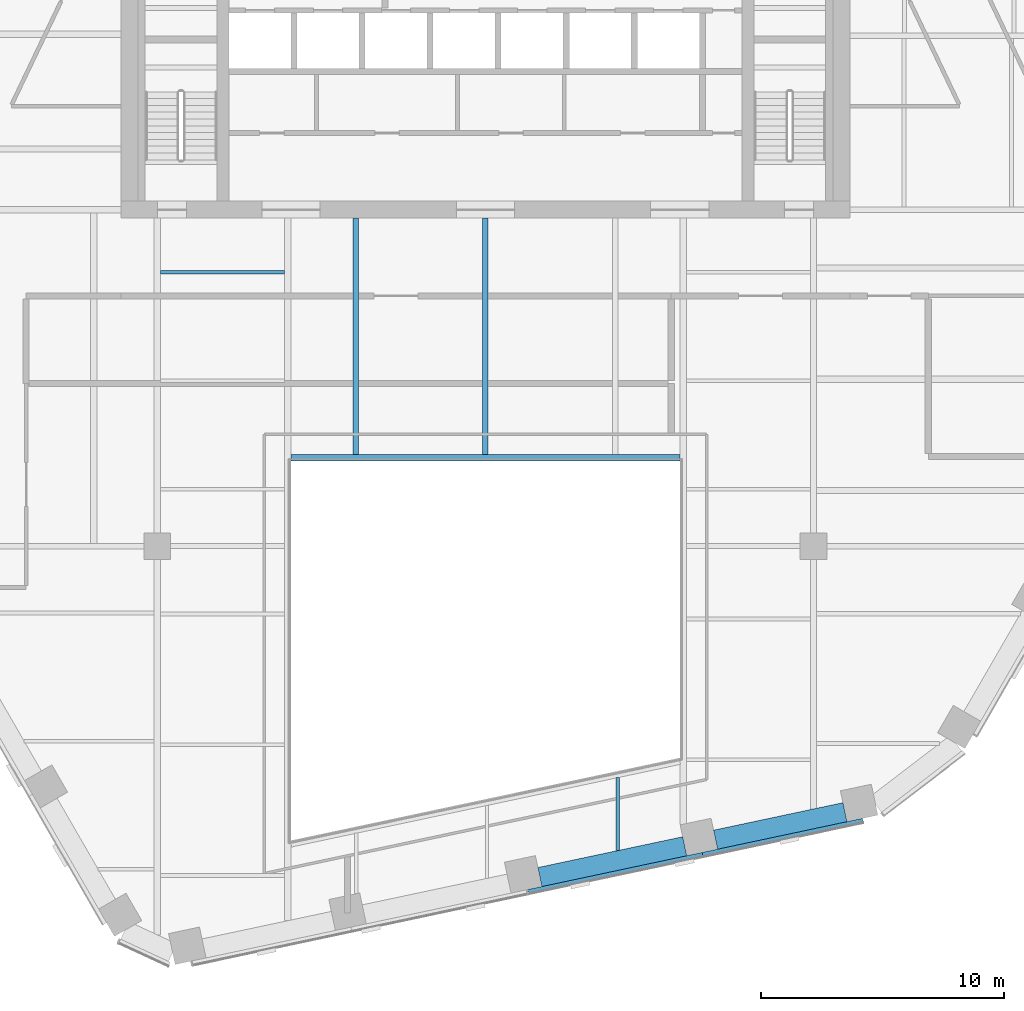
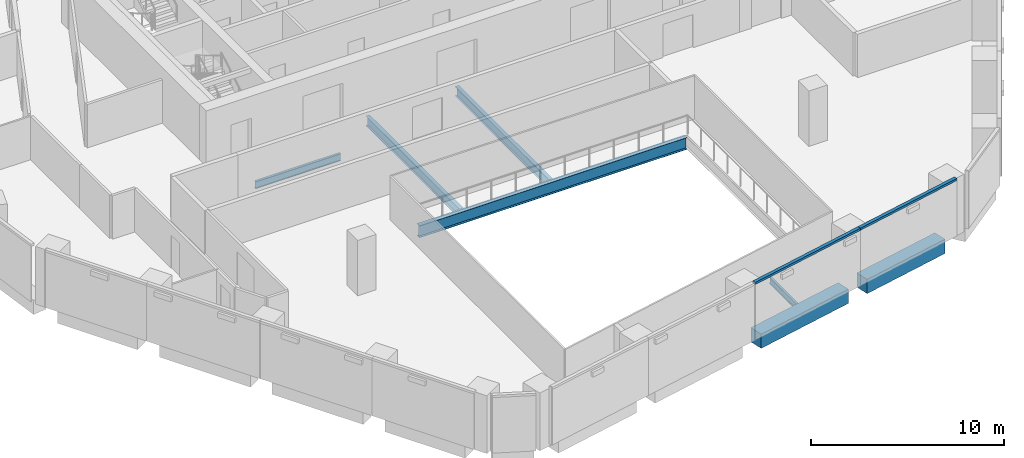
# One storey, part 4 of 17: 7 beams, 2 members, 1 element without a shape of its own.
"""IFC4 building model written with IfcOpenShell, lengths in metres."""

from ifc_helpers import new_model, si_unit, direction, frame, origin, origin_2d, place, context, subcontext, project, spatial, rectangle, i_section, extrude, material, layer, layer_set, material_profile, profile_set, type_object, element, aggregate, save


model = new_model("IFC4")

# Units and contexts
model_context = context("Model", 3, precision=1e-05, world=origin(), true_north=direction((0.0, 1.0)))
body_context = subcontext(model_context, "Body", "Model", "MODEL_VIEW")
ifc_project = project(units=[si_unit("LENGTHUNIT", "METRE"), si_unit("AREAUNIT", "SQUARE_METRE"), si_unit("VOLUMEUNIT", "CUBIC_METRE"), si_unit("PLANEANGLEUNIT", "RADIAN"), si_unit("MASSUNIT", "GRAM", prefix="KILO")], contexts=[model_context])

# Site, building, storey
site_placement = place(None, origin())
site = spatial("IfcSite", under=ifc_project, at=site_placement, CompositionType="ELEMENT")
building_placement = place(site_placement, origin())
building = spatial("IfcBuilding", under=site, at=building_placement, Name="Isthmus Gate Tower", CompositionType="ELEMENT")
storey_placement = place(building_placement, frame((0.0, 0.0, 200.0)))
storey = spatial("IfcBuildingStorey", under=building, at=storey_placement, Name="L50", CompositionType="ELEMENT", Elevation=200.0)

# Curtain wall, members
ifc_material_1 = material(Name="Aluminium, pale champagne anodised", Category="aluminium")
ifc_layer = layer(ifc_material_1, 0.199951171875)
ifc_layer_set = layer_set([ifc_layer], Name="CW-1 UNITISED CURTAIN WALL 200 DEEP")
curtain_wall_type = type_object("IfcCurtainWallType", Name="CW-1 UNITISED CURTAIN WALL 200 DEEP", PredefinedType="NOTDEFINED", material=ifc_layer_set)
curtain_wall_placement = place(storey_placement, origin())
curtain_wall = element("IfcCurtainWall", 1, at=curtain_wall_placement, inside=storey, type_object=curtain_wall_type, Name="CW-1 S L50", PredefinedType="NOTDEFINED")
ifc_material_2 = material(Name="Aluminium, pale champagne anodised", Category="aluminium")
ifc_material_profile_1 = material_profile(ifc_material_2, rectangle(XDim=0.199951171875, YDim=0.139892578125, at=origin_2d()), Name="200x140")
ifc_profile_set_1 = profile_set([ifc_material_profile_1], Name="Aluminium, pale champagne anodised")
member_type = type_object("IfcMemberType", Name="CW-1 TRANSOM 200 X 140", PredefinedType="USERDEFINED", material=ifc_profile_set_1)
member_1_placement = place(storey_placement, frame((1.76953125, -27.72607421875, 3.580078125), z_axis=(0.978146152746, 0.207918502948, 0.0), x_axis=(-0.207918502948, 0.978146152746, 0.0)))
member_1 = element("IfcMember", 2, at=member_1_placement, type_object=member_type, Name="CW-1 transom", ObjectType="TRANSOM", PredefinedType="USERDEFINED", context=body_context, shape_type="SweptSolid", body=[
    extrude(rectangle(XDim=0.199951171875, YDim=0.139892578125, at=origin_2d()), origin(), (0.0, 0.0, 1.0), 7.33056640625),
])
member_2_placement = place(storey_placement, frame((8.93994140625, -26.201904296875, 3.580078125), z_axis=(0.978151394347, 0.207893842469, 0.0), x_axis=(-0.207893842469, 0.978151394347, 0.0)))
member_2 = element("IfcMember", 3, at=member_2_placement, type_object=member_type, Name="CW-1 transom", ObjectType="TRANSOM", PredefinedType="USERDEFINED", context=body_context, shape_type="SweptSolid", body=[
    extrude(rectangle(XDim=0.199951171875, YDim=0.139892578125, at=origin_2d()), origin(), (0.0, 0.0, 1.0), 6.74072265625),
])
aggregate(curtain_wall, [member_1, member_2])

# Beams
ifc_material_3 = material(Name="Concrete f'c 60 MPa", Category="concrete")
ifc_material_profile_2 = material_profile(ifc_material_3, rectangle(XDim=0.800048828125, YDim=0.89990234375, at=origin_2d()), Name="RC 800X900")
ifc_profile_set_2 = profile_set([ifc_material_profile_2], Name="Concrete f'c 60 MPa")
beam_type_1 = type_object("IfcBeamType", Name="RC SPANDREL 800 X 900", PredefinedType="SPANDREL", material=ifc_profile_set_2)
beam_1_placement = place(storey_placement, frame((14.793701171875, -24.446533203125, -0.449951171875), z_axis=(-0.978150410773, -0.207898470186, 0.0), x_axis=(0.207898470186, -0.978150410773, 0.0)))
element("IfcBeam", 4, at=beam_1_placement, inside=storey, type_object=beam_type_1, Name="str-spandrel-L50-11", PredefinedType="SPANDREL", context=body_context, shape_type="SweptSolid", body=[
    extrude(rectangle(XDim=0.800048828125, YDim=0.89990234375, at=origin_2d()), origin(), (0.0, 0.0, 1.0), 5.440673828125),
])
beam_2_placement = place(storey_placement, frame((8.2001953125, -25.84814453125, -0.449951171875), z_axis=(-0.978146012851, -0.207919161079, 0.0), x_axis=(0.207919161079, -0.978146012851, 0.0)))
element("IfcBeam", 5, at=beam_2_placement, inside=storey, type_object=beam_type_1, Name="str-spandrel-L50-12", PredefinedType="SPANDREL", context=body_context, shape_type="SweptSolid", body=[
    extrude(rectangle(XDim=0.800048828125, YDim=0.89990234375, at=origin_2d()), origin(), (0.0, 0.0, 1.0), 6.090576171875),
])
ifc_material_4 = material(Name="Structural steel ASTM A992 Gr 50", Category="steel")
ifc_material_profile_3 = material_profile(ifc_material_4, i_section(OverallWidth=0.1396484375, OverallDepth=0.4033203125, WebThickness=0.00634765625, FlangeThickness=0.010986328125, at=origin_2d()), Name="W16X31")
ifc_profile_set_3 = profile_set([ifc_material_profile_3], Name="Structural steel ASTM A992 Gr 50")
beam_type_2 = type_object("IfcBeamType", Name="STEEL FLOOR BEAM W16X31", PredefinedType="JOIST", material=ifc_profile_set_3)
beam_3_placement = place(storey_placement, frame((5.443115234375, -26.025146484375, -0.3515625), z_axis=(0.0, 1.0, 0.0), x_axis=(-1.0, 0.0, 0.0)))
element("IfcBeam", 6, at=beam_3_placement, inside=storey, type_object=beam_type_2, Name="str-beam-L50-07-02", PredefinedType="JOIST", context=body_context, shape_type="SweptSolid", body=[
    extrude(i_section(OverallWidth=0.1396484375, OverallDepth=0.4033203125, WebThickness=0.00634765625, FlangeThickness=0.010986328125, at=origin_2d()), origin(), (0.0, 0.0, 1.0), 2.998779296875),
])
ifc_material_5 = material(Name="Structural steel ASTM A992 Gr 50", Category="steel")
ifc_material_profile_4 = material_profile(ifc_material_5, i_section(OverallWidth=0.15234375, OverallDepth=0.45068359375, WebThickness=0.0078125, FlangeThickness=0.010986328125, at=origin_2d()), Name="W18X35")
ifc_profile_set_4 = profile_set([ifc_material_profile_4], Name="Structural steel ASTM A992 Gr 50")
beam_type_3 = type_object("IfcBeamType", Name="STEEL FLOOR BEAM W18X35", PredefinedType="JOIST", material=ifc_profile_set_4)
beam_4_placement = place(storey_placement, frame((-13.3681640625, -2.232421875, -0.37548828125), z_axis=(1.0, 0.0, 0.0), x_axis=(0.0, 1.0, 0.0)))
element("IfcBeam", 7, at=beam_4_placement, inside=storey, type_object=beam_type_3, Name="str-beam-L50-04-02", PredefinedType="JOIST", context=body_context, shape_type="SweptSolid", body=[
    extrude(i_section(OverallWidth=0.15234375, OverallDepth=0.45068359375, WebThickness=0.0078125, FlangeThickness=0.010986328125, at=origin_2d()), origin(), (0.0, 0.0, 1.0), 5.1015625),
])
ifc_material_6 = material(Name="Structural steel ASTM A992 Gr 50", Category="steel")
ifc_material_profile_5 = material_profile(ifc_material_6, i_section(OverallWidth=0.228515625, OverallDepth=0.603271484375, WebThickness=0.010986328125, FlangeThickness=0.014404296875, at=origin_2d()), Name="W24X68")
ifc_profile_set_5 = profile_set([ifc_material_profile_5], Name="Structural steel ASTM A992 Gr 50")
beam_type_4 = type_object("IfcBeamType", Name="STEEL FLOOR BEAM W24X68", PredefinedType="JOIST", material=ifc_profile_set_5)
for number, where, z_axis, x_axis, name in (
    (8, (-5.333251953125, -9.7333984375, -0.45166015625), (0.0, 1.0, 0.0), (-1.0, 0.0, 0.0), "str-beam-L50-06-00"),
    (9, (0.0, -9.7333984375, -0.45166015625), (0.0, 1.0, 0.0), (-1.0, 0.0, 0.0), "str-beam-L50-06-01"),
):
    element("IfcBeam", number, at=place(storey_placement, frame(where, z_axis=z_axis, x_axis=x_axis)), inside=storey, type_object=beam_type_4, Name=name, PredefinedType="JOIST", context=body_context, shape_type="SweptSolid", body=[
        extrude(i_section(OverallWidth=0.228515625, OverallDepth=0.603271484375, WebThickness=0.010986328125, FlangeThickness=0.014404296875, at=origin_2d()), origin(), (0.0, 0.0, 1.0), 9.7333984375),
    ])
ifc_material_7 = material(Name="Structural steel ASTM A992 Gr 50", Category="steel")
ifc_material_profile_6 = material_profile(ifc_material_7, i_section(OverallWidth=0.2666015625, OverallDepth=0.7587890625, WebThickness=0.014404296875, FlangeThickness=0.01904296875, at=origin_2d()), Name="W30X108")
ifc_profile_set_6 = profile_set([ifc_material_profile_6], Name="Structural steel ASTM A992 Gr 50")
beam_type_5 = type_object("IfcBeamType", Name="STEEL TRIMMER W30X108", PredefinedType="BEAM", material=ifc_profile_set_6)
beam_5_placement = place(storey_placement, frame((8.0, -9.86669921875, -0.529296875), z_axis=(-1.0, 0.0, 0.0), x_axis=(0.0, -1.0, 0.0)))
element("IfcBeam", 10, at=beam_5_placement, inside=storey, type_object=beam_type_5, Name="str-trimmer-L50-04", PredefinedType="BEAM", context=body_context, shape_type="SweptSolid", body=[
    extrude(i_section(OverallWidth=0.2666015625, OverallDepth=0.7587890625, WebThickness=0.014404296875, FlangeThickness=0.01904296875, at=origin_2d()), origin(), (0.0, 0.0, 1.0), 16.0),
])

save(model, "model.ifc")
